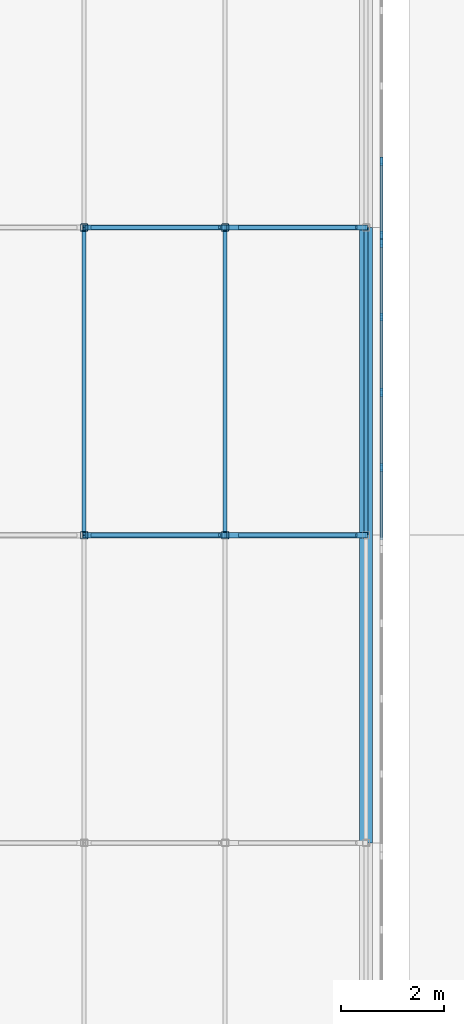
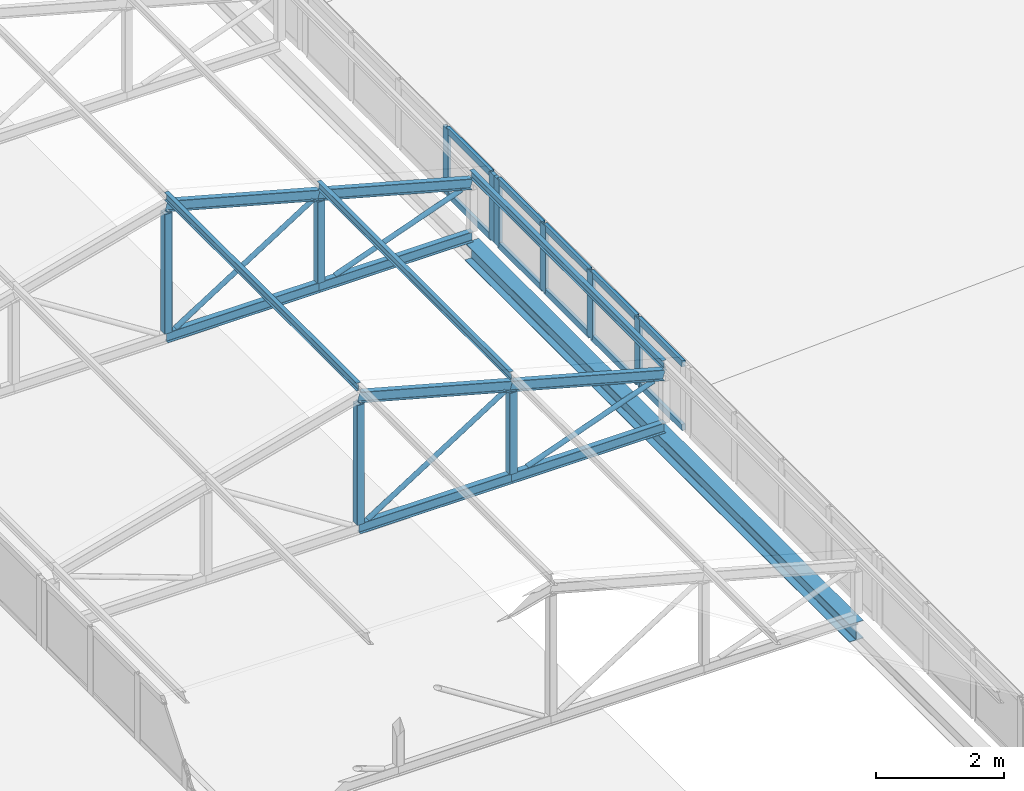
# One storey, part 49 of 94: 35 members, 1 beam, 2 elements without a shape of their own.
"""IFC4 building model written with IfcOpenShell, lengths in metres."""

from ifc_helpers import new_model, si_unit, direction, frame, origin, origin_2d, place, context, subcontext, project, spatial, rectangle, hollow_rectangle, hollow_circle, i_section, extrude, material, layer, layer_set, material_profile, profile_set, type_object, element, aggregate, save


model = new_model("IFC4")

# Units and contexts
model_context = context("Model", 3, precision=1e-05, world=origin(), true_north=direction((0.0, 1.0)))
body_context = subcontext(model_context, "Body", "Model", "MODEL_VIEW")
ifc_project = project(units=[si_unit("LENGTHUNIT", "METRE"), si_unit("AREAUNIT", "SQUARE_METRE"), si_unit("VOLUMEUNIT", "CUBIC_METRE"), si_unit("PLANEANGLEUNIT", "RADIAN"), si_unit("MASSUNIT", "GRAM", prefix="KILO")], contexts=[model_context])

# Site, building, storey
site_placement = place(None, origin())
site = spatial("IfcSite", under=ifc_project, at=site_placement, CompositionType="ELEMENT")
building_placement = place(site_placement, origin())
building = spatial("IfcBuilding", under=site, at=building_placement, Name="Lilac Gate Convention Centre", CompositionType="ELEMENT")
storey_placement = place(building_placement, frame((0.0, 0.0, 21.0)))
storey = spatial("IfcBuildingStorey", under=building, at=storey_placement, Name="L04", CompositionType="ELEMENT", Elevation=21.0)

# Curtain wall, members
ifc_material_1 = material(Name="Aluminium framed double glazing", Category="aluminium")
ifc_layer = layer(ifc_material_1, 0.199951171875)
ifc_layer_set = layer_set([ifc_layer], Name="Aluminium framed double glazing")
curtain_wall_type = type_object("IfcCurtainWallType", Name="Unitised curtain wall 1500", PredefinedType="NOTDEFINED", material=ifc_layer_set)
curtain_wall_1_placement = place(storey_placement, origin())
curtain_wall_1 = element("IfcCurtainWall", 1, at=curtain_wall_1_placement, inside=storey, type_object=curtain_wall_type, Name="Lantern clerestory E 25", PredefinedType="NOTDEFINED")
ifc_material_2 = material(Name="Aluminium alloy 6063", Category="aluminium")
ifc_material_profile_1 = material_profile(ifc_material_2, rectangle(XDim=0.06005859375, YDim=0.159912109375, at=origin_2d()), Name="Curtain wall mullion 60 x 160")
ifc_profile_set_1 = profile_set([ifc_material_profile_1], Name="Aluminium alloy 6063")
member_type_1 = type_object("IfcMemberType", Name="Curtain wall mullion 60 x 160", PredefinedType="MULLION", material=ifc_profile_set_1)
member_1_placement = place(storey_placement, frame((28.89990234375, 175.31884765625, 0.0), z_axis=(0.0, 0.0, 1.0), x_axis=(-1.0, 0.0, 0.0)))
member_1 = element("IfcMember", 2, at=member_1_placement, type_object=member_type_1, Name="CW mullion 2", PredefinedType="MULLION", context=body_context, shape_type="SweptSolid", body=[
    extrude(rectangle(XDim=0.06005859375, YDim=0.159912109375, at=origin_2d()), origin(), (0.0, 0.0, 1.0), 1.272216796875),
])
member_2_placement = place(storey_placement, frame((28.89990234375, 176.78759765625, 0.0), z_axis=(0.0, 0.0, 1.0), x_axis=(-1.0, 0.0, 0.0)))
member_2 = element("IfcMember", 3, at=member_2_placement, type_object=member_type_1, Name="CW mullion 3", PredefinedType="MULLION", context=body_context, shape_type="SweptSolid", body=[
    extrude(rectangle(XDim=0.06005859375, YDim=0.159912109375, at=origin_2d()), origin(), (0.0, 0.0, 1.0), 1.272216796875),
])
member_3_placement = place(storey_placement, frame((28.89990234375, 178.25634765625, 0.0), z_axis=(0.0, 0.0, 1.0), x_axis=(-1.0, 0.0, 0.0)))
member_3 = element("IfcMember", 4, at=member_3_placement, type_object=member_type_1, Name="CW mullion 4", PredefinedType="MULLION", context=body_context, shape_type="SweptSolid", body=[
    extrude(rectangle(XDim=0.06005859375, YDim=0.159912109375, at=origin_2d()), origin(), (0.0, 0.0, 1.0), 1.272216796875),
])
member_4_placement = place(storey_placement, frame((28.89990234375, 179.695068359375, 0.0), z_axis=(0.0, 0.0, 1.0), x_axis=(-1.0, 0.0, 0.0)))
member_4 = element("IfcMember", 5, at=member_4_placement, type_object=member_type_1, Name="CW mullion 5", PredefinedType="MULLION", context=body_context, shape_type="SweptSolid", body=[
    extrude(rectangle(XDim=0.06005859375, YDim=0.159912109375, at=origin_2d()), origin(), (0.0, 0.0, 1.0), 1.272216796875),
])

curtain_wall_2_placement = place(storey_placement, origin())
curtain_wall_2 = element("IfcCurtainWall", 6, at=curtain_wall_2_placement, inside=storey, type_object=curtain_wall_type, Name="Lantern clerestory E 26", PredefinedType="NOTDEFINED")
member_5_placement = place(storey_placement, frame((28.89990234375, 179.85498046875, 0.0), z_axis=(0.0, 0.0, 1.0), x_axis=(-1.0, 0.0, 0.0)))
member_5 = element("IfcMember", 7, at=member_5_placement, type_object=member_type_1, Name="CW mullion 1", PredefinedType="MULLION", context=body_context, shape_type="SweptSolid", body=[
    extrude(rectangle(XDim=0.06005859375, YDim=0.159912109375, at=origin_2d()), origin(), (0.0, 0.0, 1.0), 1.272216796875),
])
member_6_placement = place(storey_placement, frame((28.89990234375, 181.293701171875, 0.0), z_axis=(0.0, 0.0, 1.0), x_axis=(-1.0, 0.0, 0.0)))
member_6 = element("IfcMember", 8, at=member_6_placement, type_object=member_type_1, Name="CW mullion 2", PredefinedType="MULLION", context=body_context, shape_type="SweptSolid", body=[
    extrude(rectangle(XDim=0.06005859375, YDim=0.159912109375, at=origin_2d()), origin(), (0.0, 0.0, 1.0), 1.272216796875),
])

# Member
ifc_material_profile_2 = material_profile(ifc_material_2, rectangle(XDim=0.06005859375, YDim=0.1201171875, at=origin_2d()), Name="Curtain wall transom 60 x 120")
ifc_profile_set_2 = profile_set([ifc_material_profile_2], Name="Aluminium alloy 6063")
member_type_2 = type_object("IfcMemberType", Name="Curtain wall transom 60 x 120", PredefinedType="USERDEFINED", material=ifc_profile_set_2)
member_7_placement = place(storey_placement, frame((28.89990234375, 173.91015625, 0.030029296875), z_axis=(0.0, 1.0, 0.0), x_axis=(-1.0, 0.0, 0.0)))
member_7 = element("IfcMember", 9, at=member_7_placement, type_object=member_type_2, Name="CW transom 1.1", ObjectType="TRANSOM", PredefinedType="USERDEFINED", context=body_context, shape_type="SweptSolid", body=[
    extrude(rectangle(XDim=0.06005859375, YDim=0.1201171875, at=origin_2d()), origin(), (0.0, 0.0, 1.0), 1.378662109375),
])

member_8_placement = place(storey_placement, frame((28.89990234375, 173.91015625, 1.2421875), z_axis=(0.0, 1.0, 0.0), x_axis=(-1.0, 0.0, 0.0)))
member_8 = element("IfcMember", 10, at=member_8_placement, type_object=member_type_2, Name="CW transom 1.2", ObjectType="TRANSOM", PredefinedType="USERDEFINED", context=body_context, shape_type="SweptSolid", body=[
    extrude(rectangle(XDim=0.06005859375, YDim=0.1201171875, at=origin_2d()), origin(), (0.0, 0.0, 1.0), 1.378662109375),
])

member_9_placement = place(storey_placement, frame((28.89990234375, 175.348876953125, 0.030029296875), z_axis=(0.0, 1.0, 0.0), x_axis=(-1.0, 0.0, 0.0)))
member_9 = element("IfcMember", 11, at=member_9_placement, type_object=member_type_2, Name="CW transom 2.1", ObjectType="TRANSOM", PredefinedType="USERDEFINED", context=body_context, shape_type="SweptSolid", body=[
    extrude(rectangle(XDim=0.06005859375, YDim=0.1201171875, at=origin_2d()), origin(), (0.0, 0.0, 1.0), 1.40869140625),
])

member_10_placement = place(storey_placement, frame((28.89990234375, 175.348876953125, 1.2421875), z_axis=(0.0, 1.0, 0.0), x_axis=(-1.0, 0.0, 0.0)))
member_10 = element("IfcMember", 12, at=member_10_placement, type_object=member_type_2, Name="CW transom 2.2", ObjectType="TRANSOM", PredefinedType="USERDEFINED", context=body_context, shape_type="SweptSolid", body=[
    extrude(rectangle(XDim=0.06005859375, YDim=0.1201171875, at=origin_2d()), origin(), (0.0, 0.0, 1.0), 1.40869140625),
])

member_11_placement = place(storey_placement, frame((28.89990234375, 176.817626953125, 0.030029296875), z_axis=(0.0, 1.0, 0.0), x_axis=(-1.0, 0.0, 0.0)))
member_11 = element("IfcMember", 13, at=member_11_placement, type_object=member_type_2, Name="CW transom 3.1", ObjectType="TRANSOM", PredefinedType="USERDEFINED", context=body_context, shape_type="SweptSolid", body=[
    extrude(rectangle(XDim=0.06005859375, YDim=0.1201171875, at=origin_2d()), origin(), (0.0, 0.0, 1.0), 1.40869140625),
])

member_12_placement = place(storey_placement, frame((28.89990234375, 176.817626953125, 1.2421875), z_axis=(0.0, 1.0, 0.0), x_axis=(-1.0, 0.0, 0.0)))
member_12 = element("IfcMember", 14, at=member_12_placement, type_object=member_type_2, Name="CW transom 3.2", ObjectType="TRANSOM", PredefinedType="USERDEFINED", context=body_context, shape_type="SweptSolid", body=[
    extrude(rectangle(XDim=0.06005859375, YDim=0.1201171875, at=origin_2d()), origin(), (0.0, 0.0, 1.0), 1.40869140625),
])

member_13_placement = place(storey_placement, frame((28.89990234375, 178.286376953125, 0.030029296875), z_axis=(0.0, 1.0, 0.0), x_axis=(-1.0, 0.0, 0.0)))
member_13 = element("IfcMember", 15, at=member_13_placement, type_object=member_type_2, Name="CW transom 4.1", ObjectType="TRANSOM", PredefinedType="USERDEFINED", context=body_context, shape_type="SweptSolid", body=[
    extrude(rectangle(XDim=0.06005859375, YDim=0.1201171875, at=origin_2d()), origin(), (0.0, 0.0, 1.0), 1.378662109375),
])

member_14_placement = place(storey_placement, frame((28.89990234375, 178.286376953125, 1.2421875), z_axis=(0.0, 1.0, 0.0), x_axis=(-1.0, 0.0, 0.0)))
member_14 = element("IfcMember", 16, at=member_14_placement, type_object=member_type_2, Name="CW transom 4.2", ObjectType="TRANSOM", PredefinedType="USERDEFINED", context=body_context, shape_type="SweptSolid", body=[
    extrude(rectangle(XDim=0.06005859375, YDim=0.1201171875, at=origin_2d()), origin(), (0.0, 0.0, 1.0), 1.378662109375),
])

aggregate(curtain_wall_1, [member_1, member_2, member_3, member_4, member_7, member_8, member_9, member_10, member_11, member_12, member_13, member_14])

member_15_placement = place(storey_placement, frame((28.89990234375, 179.885009765625, 0.030029296875), z_axis=(0.0, 1.0, 0.0), x_axis=(-1.0, 0.0, 0.0)))
member_15 = element("IfcMember", 17, at=member_15_placement, type_object=member_type_2, Name="CW transom 1.1", ObjectType="TRANSOM", PredefinedType="USERDEFINED", context=body_context, shape_type="SweptSolid", body=[
    extrude(rectangle(XDim=0.06005859375, YDim=0.1201171875, at=origin_2d()), origin(), (0.0, 0.0, 1.0), 1.378662109375),
])

member_16_placement = place(storey_placement, frame((28.89990234375, 179.885009765625, 1.2421875), z_axis=(0.0, 1.0, 0.0), x_axis=(-1.0, 0.0, 0.0)))
member_16 = element("IfcMember", 18, at=member_16_placement, type_object=member_type_2, Name="CW transom 1.2", ObjectType="TRANSOM", PredefinedType="USERDEFINED", context=body_context, shape_type="SweptSolid", body=[
    extrude(rectangle(XDim=0.06005859375, YDim=0.1201171875, at=origin_2d()), origin(), (0.0, 0.0, 1.0), 1.378662109375),
])

aggregate(curtain_wall_2, [member_5, member_6, member_15, member_16])

# Members
ifc_material_3 = material(Name="Steel Q355B", Category="steel")
ifc_material_profile_3 = material_profile(ifc_material_3, i_section(OverallWidth=0.10009765625, OverallDepth=0.199951171875, WebThickness=0.005615234375, FlangeThickness=0.008056640625, FilletRadius=0.008056640625, at=origin_2d()), Name="HN200x100x5.5x8")
ifc_profile_set_3 = profile_set([ifc_material_profile_3], Name="Steel Q355B")
member_type_3 = type_object("IfcMemberType", Name="Lantern bottom chord HN200x100x5.5x8", PredefinedType="CHORD", material=ifc_profile_set_3)
for number, where, z_axis, x_axis, name in (
    (19, (23.10009765625, 174.0, 0.10009765625), (1.0, 0.0, 0.0), (0.0, 1.0, 0.0), "LB1 lantern truss 25 bottom chord 3"),
    (20, (25.85009765625, 174.0, 0.10009765625), (1.0, 0.0, 0.0), (0.0, 1.0, 0.0), "LB1 lantern truss 25 bottom chord 4"),
    (21, (23.10009765625, 180.0, 0.10009765625), (1.0, 0.0, 0.0), (0.0, 1.0, 0.0), "LB1 lantern truss 26 bottom chord 3"),
    (22, (25.85009765625, 180.0, 0.10009765625), (1.0, 0.0, 0.0), (0.0, 1.0, 0.0), "LB1 lantern truss 26 bottom chord 4"),
):
    element("IfcMember", number, at=place(storey_placement, frame(where, z_axis=z_axis, x_axis=x_axis)), inside=storey, type_object=member_type_3, Name=name, PredefinedType="CHORD", context=body_context, shape_type="SweptSolid", body=[
        extrude(i_section(OverallWidth=0.10009765625, OverallDepth=0.199951171875, WebThickness=0.005615234375, FlangeThickness=0.008056640625, FilletRadius=0.008056640625, at=origin_2d()), origin(), (0.0, 0.0, 1.0), 2.75),
    ])
ifc_material_profile_4 = material_profile(ifc_material_3, hollow_circle(Radius=0.04443359375, WallThickness=0.0048828125, at=origin_2d()), Name="CHS88.9x5")
ifc_profile_set_4 = profile_set([ifc_material_profile_4], Name="Steel Q355B")
member_type_4 = type_object("IfcMemberType", Name="Lantern diagonal CHS88.9x5", PredefinedType="BRACE", material=ifc_profile_set_4)
member_17_placement = place(storey_placement, frame((25.74169921875, 174.0, 1.781005859375), z_axis=(-0.843671728148, 0.0, -0.536859399773), x_axis=(0.0, -1.0, 0.0)))
element("IfcMember", 23, at=member_17_placement, inside=storey, type_object=member_type_4, Name="LW1 lantern truss 25 diagonal 3", PredefinedType="BRACE", context=body_context, shape_type="SweptSolid", body=[
    extrude(hollow_circle(Radius=0.04443359375, WallThickness=0.0048828125, at=origin_2d()), origin(), (0.0, 0.0, 1.0), 2.945068359375),
])
member_18_placement = place(storey_placement, frame((28.410400390625, 174.0, 1.031005859375), z_axis=(-0.939793423488, 0.0, -0.341743063087), x_axis=(0.0, -1.0, 0.0)))
element("IfcMember", 24, at=member_18_placement, inside=storey, type_object=member_type_4, Name="LW1 lantern truss 25 diagonal 4", PredefinedType="BRACE", context=body_context, shape_type="SweptSolid", body=[
    extrude(hollow_circle(Radius=0.04443359375, WallThickness=0.0048828125, at=origin_2d()), origin(), (0.0, 0.0, 1.0), 2.431884765625),
])
member_19_placement = place(storey_placement, frame((25.74169921875, 180.0, 1.781005859375), z_axis=(-0.843671728148, 0.0, -0.536859399773), x_axis=(0.0, -1.0, 0.0)))
element("IfcMember", 25, at=member_19_placement, inside=storey, type_object=member_type_4, Name="LW1 lantern truss 26 diagonal 3", PredefinedType="BRACE", context=body_context, shape_type="SweptSolid", body=[
    extrude(hollow_circle(Radius=0.04443359375, WallThickness=0.0048828125, at=origin_2d()), origin(), (0.0, 0.0, 1.0), 2.945068359375),
])
member_20_placement = place(storey_placement, frame((28.410400390625, 180.0, 1.031005859375), z_axis=(-0.939793423488, 0.0, -0.341743063087), x_axis=(0.0, -1.0, 0.0)))
element("IfcMember", 26, at=member_20_placement, inside=storey, type_object=member_type_4, Name="LW1 lantern truss 26 diagonal 4", PredefinedType="BRACE", context=body_context, shape_type="SweptSolid", body=[
    extrude(hollow_circle(Radius=0.04443359375, WallThickness=0.0048828125, at=origin_2d()), origin(), (0.0, 0.0, 1.0), 2.431884765625),
])
ifc_material_profile_5 = material_profile(ifc_material_3, hollow_rectangle(XDim=0.139892578125, YDim=0.139892578125, WallThickness=0.0048828125, InnerFilletRadius=0.0048828125, OuterFilletRadius=0.010009765625, at=origin_2d()), Name="SHS140x140x5")
ifc_profile_set_5 = profile_set([ifc_material_profile_5], Name="Steel Q355B")
member_type_5 = type_object("IfcMemberType", Name="Lantern post SHS140x140x5", PredefinedType="STRUT", material=ifc_profile_set_5)
member_21_placement = place(storey_placement, frame((23.10009765625, 174.0, 0.199951171875), z_axis=(0.0, 0.0, 1.0), x_axis=(1.0, 0.0, 0.0)))
element("IfcMember", 27, at=member_21_placement, inside=storey, type_object=member_type_5, Name="LV1 lantern truss 25 post 3", PredefinedType="STRUT", context=body_context, shape_type="SweptSolid", body=[
    extrude(hollow_rectangle(XDim=0.139892578125, YDim=0.139892578125, WallThickness=0.0048828125, InnerFilletRadius=0.0048828125, OuterFilletRadius=0.010009765625, at=origin_2d()), origin(), (0.0, 0.0, 1.0), 2.277099609375),
])
member_22_placement = place(storey_placement, frame((25.85009765625, 174.0, 0.199951171875), z_axis=(0.0, 0.0, 1.0), x_axis=(1.0, 0.0, 0.0)))
element("IfcMember", 28, at=member_22_placement, inside=storey, type_object=member_type_5, Name="LV1 lantern truss 25 post 4", PredefinedType="STRUT", context=body_context, shape_type="SweptSolid", body=[
    extrude(hollow_rectangle(XDim=0.139892578125, YDim=0.139892578125, WallThickness=0.0048828125, InnerFilletRadius=0.0048828125, OuterFilletRadius=0.010009765625, at=origin_2d()), origin(), (0.0, 0.0, 1.0), 1.546142578125),
])
member_23_placement = place(storey_placement, frame((23.10009765625, 180.0, 0.199951171875), z_axis=(0.0, 0.0, 1.0), x_axis=(1.0, 0.0, 0.0)))
element("IfcMember", 29, at=member_23_placement, inside=storey, type_object=member_type_5, Name="LV1 lantern truss 26 post 3", PredefinedType="STRUT", context=body_context, shape_type="SweptSolid", body=[
    extrude(hollow_rectangle(XDim=0.139892578125, YDim=0.139892578125, WallThickness=0.0048828125, InnerFilletRadius=0.0048828125, OuterFilletRadius=0.010009765625, at=origin_2d()), origin(), (0.0, 0.0, 1.0), 2.277099609375),
])
member_24_placement = place(storey_placement, frame((25.85009765625, 180.0, 0.199951171875), z_axis=(0.0, 0.0, 1.0), x_axis=(1.0, 0.0, 0.0)))
element("IfcMember", 30, at=member_24_placement, inside=storey, type_object=member_type_5, Name="LV1 lantern truss 26 post 4", PredefinedType="STRUT", context=body_context, shape_type="SweptSolid", body=[
    extrude(hollow_rectangle(XDim=0.139892578125, YDim=0.139892578125, WallThickness=0.0048828125, InnerFilletRadius=0.0048828125, OuterFilletRadius=0.010009765625, at=origin_2d()), origin(), (0.0, 0.0, 1.0), 1.546142578125),
])
ifc_material_profile_6 = material_profile(ifc_material_3, i_section(OverallWidth=0.074951171875, OverallDepth=0.14990234375, WebThickness=0.0048828125, FlangeThickness=0.007080078125, FilletRadius=0.008056640625, at=origin_2d()), Name="HN150x75x5x7")
ifc_profile_set_6 = profile_set([ifc_material_profile_6], Name="Steel Q355B")
member_type_6 = type_object("IfcMemberType", Name="Lantern purlin HN150x75x5x7", PredefinedType="PURLIN", material=ifc_profile_set_6)
for number, where, z_axis, x_axis, name in (
    (31, (23.10009765625, 174.0, 2.779052734375), (0.0, 1.0, 0.0), (-1.0, 0.0, 0.0), "LP1 lantern purlin bay 25 line 3"),
    (32, (25.85009765625, 174.0, 2.029052734375), (0.0, 1.0, 0.0), (-1.0, 0.0, 0.0), "LP1 lantern purlin bay 25 line 4"),
    (33, (28.60009765625, 174.0, 1.279052734375), (0.0, 1.0, 0.0), (-1.0, 0.0, 0.0), "LP1 lantern purlin bay 25 line 5"),
):
    element("IfcMember", number, at=place(storey_placement, frame(where, z_axis=z_axis, x_axis=x_axis)), inside=storey, type_object=member_type_6, Name=name, PredefinedType="PURLIN", context=body_context, shape_type="SweptSolid", body=[
        extrude(i_section(OverallWidth=0.074951171875, OverallDepth=0.14990234375, WebThickness=0.0048828125, FlangeThickness=0.007080078125, FilletRadius=0.008056640625, at=origin_2d()), origin(), (0.0, 0.0, 1.0), 6.0),
    ])
ifc_material_profile_7 = material_profile(ifc_material_3, i_section(OverallWidth=0.10009765625, OverallDepth=0.199951171875, WebThickness=0.005615234375, FlangeThickness=0.008056640625, FilletRadius=0.008056640625, at=origin_2d()), Name="HN200x100x5.5x8")
ifc_profile_set_7 = profile_set([ifc_material_profile_7], Name="Steel Q355B")
member_type_7 = type_object("IfcMemberType", Name="Lantern top chord HN200x100x5.5x8", PredefinedType="CHORD", material=ifc_profile_set_7)
for number, where, z_axis, x_axis, name in (
    (34, (23.10009765625, 174.0, 2.60009765625), (0.964763821238, 0.0, -0.263117405792), (0.0, 1.0, 0.0), "LT1 lantern truss 25 top chord 3"),
    (35, (25.85009765625, 174.0, 1.85009765625), (0.964763821238, 0.0, -0.263117405792), (0.0, 1.0, 0.0), "LT1 lantern truss 25 top chord 4"),
    (36, (23.10009765625, 180.0, 2.60009765625), (0.964763821238, 0.0, -0.263117405792), (0.0, 1.0, 0.0), "LT1 lantern truss 26 top chord 3"),
    (37, (25.85009765625, 180.0, 1.85009765625), (0.964763821238, 0.0, -0.263117405792), (0.0, 1.0, 0.0), "LT1 lantern truss 26 top chord 4"),
):
    element("IfcMember", number, at=place(storey_placement, frame(where, z_axis=z_axis, x_axis=x_axis)), inside=storey, type_object=member_type_7, Name=name, PredefinedType="CHORD", context=body_context, shape_type="SweptSolid", body=[
        extrude(i_section(OverallWidth=0.10009765625, OverallDepth=0.199951171875, WebThickness=0.005615234375, FlangeThickness=0.008056640625, FilletRadius=0.008056640625, at=origin_2d()), origin(), (0.0, 0.0, 1.0), 2.850341796875),
    ])

# Beam
ifc_material_profile_8 = material_profile(ifc_material_3, i_section(OverallWidth=0.25, OverallDepth=0.340087890625, WebThickness=0.009033203125, FlangeThickness=0.013916015625, FilletRadius=0.012939453125, at=origin_2d()), Name="HM340x250x9x14")
ifc_profile_set_8 = profile_set([ifc_material_profile_8], Name="Steel Q355B")
beam_type = type_object("IfcBeamType", Name="Steel edge beam HM340x250x9x14", PredefinedType="BEAM", material=ifc_profile_set_8)
beam_placement = place(storey_placement, frame((28.60009765625, 168.0, -0.169921875), z_axis=(0.0, 1.0, 0.0), x_axis=(-1.0, 0.0, 0.0)))
element("IfcBeam", 38, at=beam_placement, inside=storey, type_object=beam_type, Name="LE1 lantern edge beam 13", PredefinedType="BEAM", context=body_context, shape_type="SweptSolid", body=[
    extrude(i_section(OverallWidth=0.25, OverallDepth=0.340087890625, WebThickness=0.009033203125, FlangeThickness=0.013916015625, FilletRadius=0.012939453125, at=origin_2d()), origin(), (0.0, 0.0, 1.0), 12.0),
])

save(model, "model.ifc")
